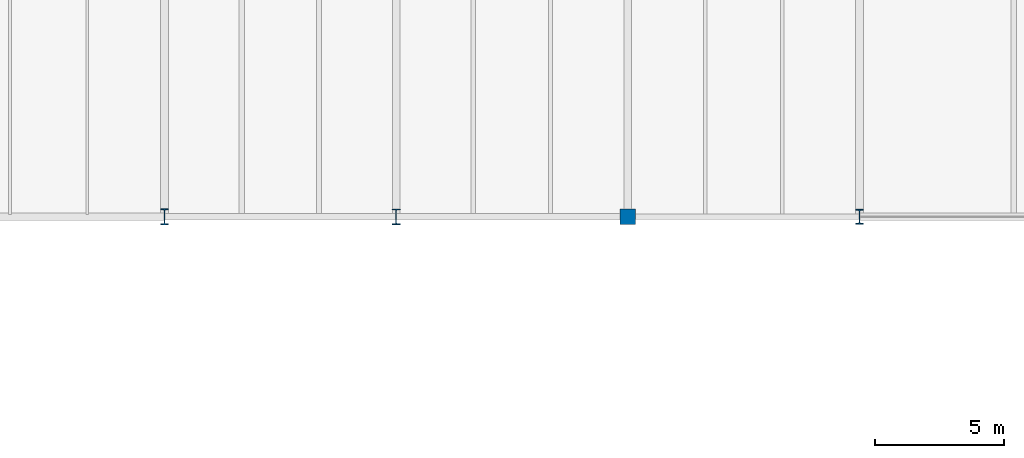
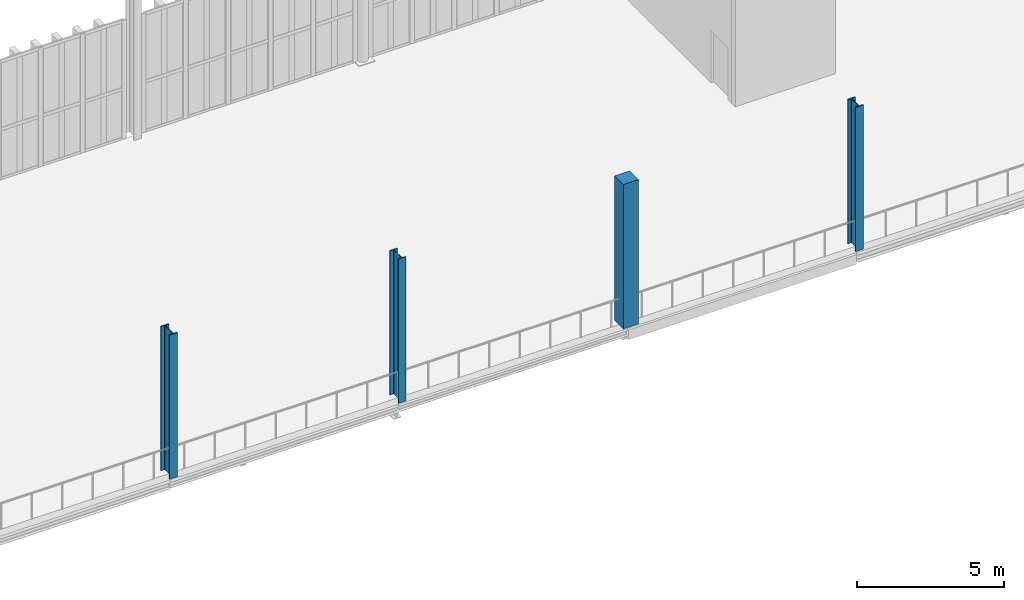
# One storey, part 9 of 211: 4 columns.
"""IFC4 building model written with IfcOpenShell, lengths in metres."""

from ifc_helpers import new_model, si_unit, direction, frame, origin, origin_2d, place, context, subcontext, project, spatial, rectangle, i_section, extrude, material, material_profile, profile_set, type_object, element, save


model = new_model("IFC4")

# Units and contexts
model_context = context("Model", 3, precision=1e-05, world=origin(), true_north=direction((0.0, 1.0)))
body_context = subcontext(model_context, "Body", "Model", "MODEL_VIEW")
ifc_project = project(units=[si_unit("LENGTHUNIT", "METRE"), si_unit("AREAUNIT", "SQUARE_METRE"), si_unit("VOLUMEUNIT", "CUBIC_METRE"), si_unit("PLANEANGLEUNIT", "RADIAN"), si_unit("MASSUNIT", "GRAM", prefix="KILO")], contexts=[model_context])

# Site, building, storey
site_placement = place(None, origin())
site = spatial("IfcSite", under=ifc_project, at=site_placement, CompositionType="ELEMENT")
building_placement = place(site_placement, origin())
building = spatial("IfcBuilding", under=site, at=building_placement, Name="Barlavento Convention Centre", CompositionType="ELEMENT")
storey_placement = place(building_placement, frame((0.0, 0.0, 6.0)))
storey = spatial("IfcBuildingStorey", under=building, at=storey_placement, Name="L01", CompositionType="ELEMENT", Elevation=6.0)

# Columns
ifc_material_1 = material(Name="Steel S355", Category="steel")
ifc_material_profile_1 = material_profile(ifc_material_1, i_section(OverallWidth=0.300048828125, OverallDepth=0.60009765625, WebThickness=0.015380859375, FlangeThickness=0.030029296875, FilletRadius=0.027099609375, at=origin_2d()), Name="HEB 600")
ifc_profile_set_1 = profile_set([ifc_material_profile_1], Name="Steel S355")
column_type_1 = type_object("IfcColumnType", Name="STR-COL-HEB600", PredefinedType="COLUMN", material=ifc_profile_set_1)
column_1_placement = place(storey_placement, frame((45.0, 117.0, 0.0), z_axis=(0.0, 0.0, 1.0), x_axis=(1.0, 0.0, 0.0)))
element("IfcColumn", 1, at=column_1_placement, inside=storey, type_object=column_type_1, Name="L01 column SC08", PredefinedType="COLUMN", context=body_context, shape_type="SweptSolid", body=[
    extrude(i_section(OverallWidth=0.300048828125, OverallDepth=0.60009765625, WebThickness=0.015380859375, FlangeThickness=0.030029296875, FilletRadius=0.027099609375, at=origin_2d()), origin(), (0.0, 0.0, 1.0), 6.0),
])
ifc_material_profile_2 = material_profile(ifc_material_1, i_section(OverallWidth=0.305908203125, OverallDepth=0.572021484375, WebThickness=0.02099609375, FlangeThickness=0.0400390625, FilletRadius=0.027099609375, at=origin_2d()), Name="HEM 550")
ifc_profile_set_2 = profile_set([ifc_material_profile_2], Name="Steel S355")
column_type_2 = type_object("IfcColumnType", Name="STR-COL-HEM550", PredefinedType="COLUMN", material=ifc_profile_set_2)
column_2_placement = place(storey_placement, frame((63.0, 117.0, 0.0), z_axis=(0.0, 0.0, 1.0), x_axis=(1.0, 0.0, 0.0)))
element("IfcColumn", 2, at=column_2_placement, inside=storey, type_object=column_type_2, Name="L01 column SC06", PredefinedType="COLUMN", context=body_context, shape_type="SweptSolid", body=[
    extrude(i_section(OverallWidth=0.305908203125, OverallDepth=0.572021484375, WebThickness=0.02099609375, FlangeThickness=0.0400390625, FilletRadius=0.027099609375, at=origin_2d()), origin(), (0.0, 0.0, 1.0), 6.0),
])
ifc_material_profile_3 = material_profile(ifc_material_1, i_section(OverallWidth=0.304931640625, OverallDepth=0.6201171875, WebThickness=0.02099609375, FlangeThickness=0.0400390625, FilletRadius=0.027099609375, at=origin_2d()), Name="HEM 600")
ifc_profile_set_3 = profile_set([ifc_material_profile_3], Name="Steel S355")
column_type_3 = type_object("IfcColumnType", Name="STR-COL-HEM600", PredefinedType="COLUMN", material=ifc_profile_set_3)
column_3_placement = place(storey_placement, frame((36.0, 117.0, 0.0), z_axis=(0.0, 0.0, 1.0), x_axis=(1.0, 0.0, 0.0)))
element("IfcColumn", 3, at=column_3_placement, inside=storey, type_object=column_type_3, Name="L01 column SC05", PredefinedType="COLUMN", context=body_context, shape_type="SweptSolid", body=[
    extrude(i_section(OverallWidth=0.304931640625, OverallDepth=0.6201171875, WebThickness=0.02099609375, FlangeThickness=0.0400390625, FilletRadius=0.027099609375, at=origin_2d()), origin(), (0.0, 0.0, 1.0), 6.0),
])
ifc_material_2 = material(Name="Concrete C40/50", Category="concrete")
ifc_material_profile_4 = material_profile(ifc_material_2, rectangle(XDim=0.60009765625, YDim=0.60009765625, at=origin_2d()), Name="RC 600x600")
ifc_profile_set_4 = profile_set([ifc_material_profile_4], Name="Concrete C40/50")
column_type_4 = type_object("IfcColumnType", Name="STR-COL-RC600", PredefinedType="COLUMN", material=ifc_profile_set_4)
column_4_placement = place(storey_placement, frame((54.0, 117.0, 0.0), z_axis=(0.0, 0.0, 1.0), x_axis=(1.0, 0.0, 0.0)))
element("IfcColumn", 4, at=column_4_placement, inside=storey, type_object=column_type_4, Name="L01 column CC07", PredefinedType="COLUMN", context=body_context, shape_type="SweptSolid", body=[
    extrude(rectangle(XDim=0.60009765625, YDim=0.60009765625, at=origin_2d()), origin(), (0.0, 0.0, 1.0), 6.0),
])

save(model, "model.ifc")
